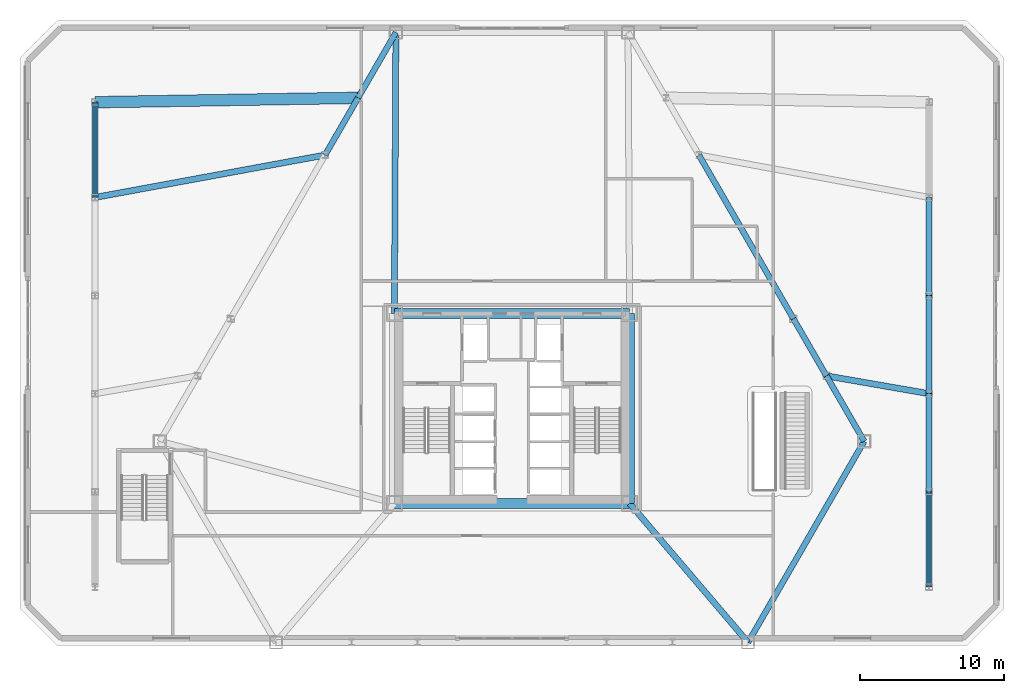
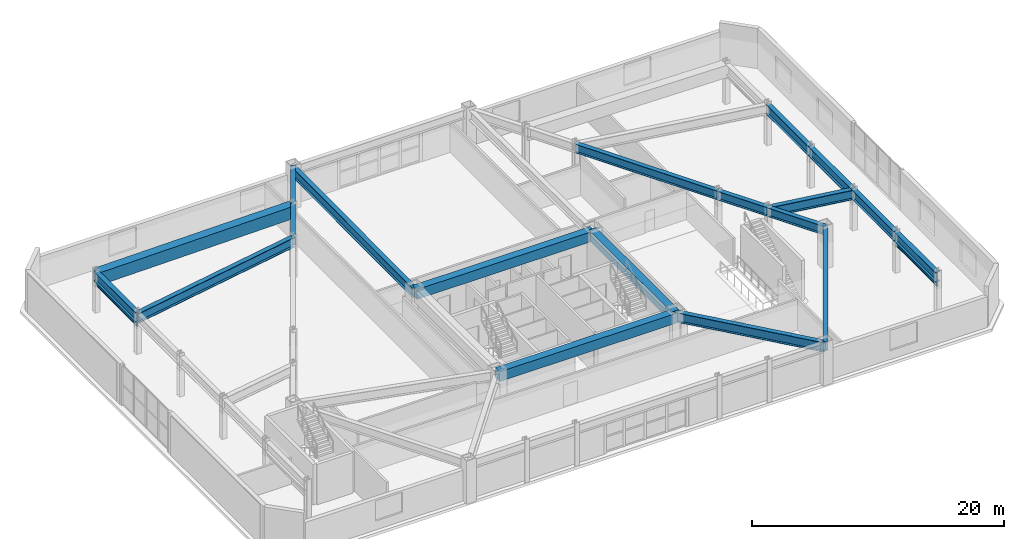
# One storey, part 7 of 22: 21 beams.
"""IFC4 building model written with IfcOpenShell, lengths in metres."""

from ifc_helpers import new_model, si_unit, direction, frame, origin, origin_2d, place, context, subcontext, project, spatial, rectangle, hollow_rectangle, i_section, extrude, material, material_profile, profile_set, type_object, element, save


model = new_model("IFC4")

# Units and contexts
model_context = context("Model", 3, precision=1e-05, world=origin(), true_north=direction((0.0, 1.0)))
body_context = subcontext(model_context, "Body", "Model", "MODEL_VIEW")
ifc_project = project(units=[si_unit("LENGTHUNIT", "METRE"), si_unit("AREAUNIT", "SQUARE_METRE"), si_unit("VOLUMEUNIT", "CUBIC_METRE"), si_unit("PLANEANGLEUNIT", "RADIAN"), si_unit("MASSUNIT", "GRAM", prefix="KILO")], contexts=[model_context])

# Site, building, storey
site_placement = place(None, origin())
site = spatial("IfcSite", under=ifc_project, at=site_placement, CompositionType="ELEMENT")
building_placement = place(site_placement, origin())
building = spatial("IfcBuilding", under=site, at=building_placement, Name="Oramaril Tower", CompositionType="ELEMENT")
storey_placement = place(building_placement, frame((0.0, 0.0, 14.10009765625)))
storey = spatial("IfcBuildingStorey", under=building, at=storey_placement, Name="L03", CompositionType="ELEMENT", Elevation=14.10009765625)

# Beams
ifc_material_1 = material(Name="Concrete C50/60", Category="concrete")
ifc_material_profile_1 = material_profile(ifc_material_1, rectangle(XDim=0.699951171875, YDim=0.949951171875, at=origin_2d()), Name="CB700X950")
ifc_profile_set_1 = profile_set([ifc_material_profile_1], Name="Concrete C50/60")
beam_type_1 = type_object("IfcBeamType", Name="BT-CB1", PredefinedType="BEAM", material=ifc_profile_set_1)
beam_1_placement = place(storey_placement, frame((29.35009765625, 11.0, 3.44482421875), z_axis=(1.0, 0.0, 0.0), x_axis=(0.0, 1.0, 0.0)))
element("IfcBeam", 1, at=beam_1_placement, inside=storey, type_object=beam_type_1, Name="L03 Core Header Beam CB-1", PredefinedType="BEAM", context=body_context, shape_type="SweptSolid", body=[
    extrude(rectangle(XDim=0.699951171875, YDim=0.949951171875, at=origin_2d()), origin(), (0.0, 0.0, 1.0), 16.2998046875),
])
beam_2_placement = place(storey_placement, frame((45.64990234375, 11.0, 3.44482421875), z_axis=(0.0, 1.0, 0.0), x_axis=(-1.0, 0.0, 0.0)))
element("IfcBeam", 2, at=beam_2_placement, inside=storey, type_object=beam_type_1, Name="L03 Core Header Beam CB-2", PredefinedType="BEAM", context=body_context, shape_type="SweptSolid", body=[
    extrude(rectangle(XDim=0.699951171875, YDim=0.949951171875, at=origin_2d()), origin(), (0.0, 0.0, 1.0), 13.14990234375),
])
beam_3_placement = place(storey_placement, frame((45.64990234375, 24.14990234375, 3.44482421875), z_axis=(-1.0, 0.0, 0.0), x_axis=(0.0, -1.0, 0.0)))
element("IfcBeam", 3, at=beam_3_placement, inside=storey, type_object=beam_type_1, Name="L03 Core Header Beam CB-3", PredefinedType="BEAM", context=body_context, shape_type="SweptSolid", body=[
    extrude(rectangle(XDim=0.699951171875, YDim=0.949951171875, at=origin_2d()), origin(), (0.0, 0.0, 1.0), 16.2998046875),
])
ifc_material_2 = material(Name="Steel ASTM A572 Gr 50", Category="steel")
ifc_material_profile_2 = material_profile(ifc_material_2, i_section(OverallWidth=0.1650390625, OverallDepth=0.31005859375, WebThickness=0.005859375, FlangeThickness=0.009765625, at=origin_2d()), Name="W12X26")
ifc_profile_set_2 = profile_set([ifc_material_profile_2], Name="Steel ASTM A572 Gr 50")
beam_type_2 = type_object("IfcBeamType", Name="BT-LN1", PredefinedType="LINTEL", material=ifc_profile_set_2)
for number, where, z_axis, x_axis, name in (
    (4, (8.60009765625, 32.199951171875, 2.69482421875), (0.0, 1.0, 0.0), (-1.0, 0.0, 0.0), "L03 Podium Opening Lintel Beam"),
    (5, (66.39990234375, 5.199951171875, 2.69482421875), (0.0, 1.0, 0.0), (-1.0, 0.0, 0.0), "L03 Podium Opening Lintel Beam"),
):
    element("IfcBeam", number, at=place(storey_placement, frame(where, z_axis=z_axis, x_axis=x_axis)), inside=storey, type_object=beam_type_2, Name=name, PredefinedType="LINTEL", context=body_context, shape_type="SweptSolid", body=[
        extrude(i_section(OverallWidth=0.1650390625, OverallDepth=0.31005859375, WebThickness=0.005859375, FlangeThickness=0.009765625, at=origin_2d()), origin(), (0.0, 0.0, 1.0), 6.60009765625),
    ])
ifc_material_3 = material(Name="Steel ASTM A572 Gr 50", Category="steel")
ifc_material_profile_3 = material_profile(ifc_material_3, i_section(OverallWidth=0.424072265625, OverallDepth=0.947021484375, WebThickness=0.02392578125, FlangeThickness=0.042724609375, at=origin_2d()), Name="W36X302")
ifc_profile_set_3 = profile_set([ifc_material_profile_3], Name="Steel ASTM A572 Gr 50")
beam_type_3 = type_object("IfcBeamType", Name="BT-PG1", PredefinedType="BEAM", material=ifc_profile_set_3)
beam_4_placement = place(storey_placement, frame((8.60009765625, 32.199951171875, 3.4462890625), z_axis=(0.983441112449, 0.181227973404, 0.0), x_axis=(-0.181227973404, 0.983441112449, 0.0)))
element("IfcBeam", 6, at=beam_4_placement, inside=storey, type_object=beam_type_3, Name="L03 Podium Clear-Span Girder 05", PredefinedType="BEAM", context=body_context, shape_type="SweptSolid", body=[
    extrude(i_section(OverallWidth=0.424072265625, OverallDepth=0.947021484375, WebThickness=0.02392578125, FlangeThickness=0.042724609375, at=origin_2d()), origin(), (0.0, 0.0, 1.0), 16.211669921875),
])
beam_5_placement = place(storey_placement, frame((66.39990234375, 18.60009765625, 3.4462890625), z_axis=(-0.985251471122, 0.171112649011, 0.0), x_axis=(-0.171112649011, -0.985251471122, 0.0)))
element("IfcBeam", 7, at=beam_5_placement, inside=storey, type_object=beam_type_3, Name="L03 Podium Clear-Span Girder 09", PredefinedType="BEAM", context=body_context, shape_type="SweptSolid", body=[
    extrude(i_section(OverallWidth=0.424072265625, OverallDepth=0.947021484375, WebThickness=0.02392578125, FlangeThickness=0.042724609375, at=origin_2d()), origin(), (0.0, 0.0, 1.0), 7.2138671875),
])
ifc_material_4 = material(Name="Steel ASTM A572 Gr 50", Category="steel")
ifc_material_profile_4 = material_profile(ifc_material_4, i_section(OverallWidth=0.4189453125, OverallDepth=0.927001953125, WebThickness=0.019287109375, FlangeThickness=0.031982421875, at=origin_2d()), Name="W36X231")
ifc_profile_set_4 = profile_set([ifc_material_profile_4], Name="Steel ASTM A572 Gr 50")
beam_type_4 = type_object("IfcBeamType", Name="BT-PG2", PredefinedType="BEAM", material=ifc_profile_set_4)
beam_6_placement = place(storey_placement, frame((45.64990234375, 11.0, 3.456298828125), z_axis=(0.64848466157, -0.761227721322, 0.0), x_axis=(0.761227721322, 0.64848466157, 0.0)))
element("IfcBeam", 8, at=beam_6_placement, inside=storey, type_object=beam_type_4, Name="L03 Radial Primary Beam RB-03", PredefinedType="BEAM", context=body_context, shape_type="SweptSolid", body=[
    extrude(i_section(OverallWidth=0.4189453125, OverallDepth=0.927001953125, WebThickness=0.019287109375, FlangeThickness=0.031982421875, at=origin_2d()), origin(), (0.0, 0.0, 1.0), 12.66357421875),
])
beam_7_placement = place(storey_placement, frame((29.35009765625, 24.14990234375, 3.456298828125), z_axis=(0.005223463456, 0.999986357622, 0.0), x_axis=(-0.999986357622, 0.005223463456, 0.0)))
element("IfcBeam", 9, at=beam_7_placement, inside=storey, type_object=beam_type_4, Name="L03 Radial Primary Beam RB-06", PredefinedType="BEAM", context=body_context, shape_type="SweptSolid", body=[
    extrude(i_section(OverallWidth=0.4189453125, OverallDepth=0.927001953125, WebThickness=0.019287109375, FlangeThickness=0.031982421875, at=origin_2d()), origin(), (0.0, 0.0, 1.0), 19.490234375),
])
for number, where, z_axis, x_axis, name in (
    (10, (8.60009765625, 32.199951171875, 3.456298828125), (0.0, 1.0, 0.0), (-1.0, 0.0, 0.0), "L03 Podium Perimeter Girder 05"),
    (11, (66.39990234375, 5.199951171875, 3.456298828125), (0.0, 1.0, 0.0), (-1.0, 0.0, 0.0), "L03 Podium Perimeter Girder 07"),
):
    element("IfcBeam", number, at=place(storey_placement, frame(where, z_axis=z_axis, x_axis=x_axis)), inside=storey, type_object=beam_type_4, Name=name, PredefinedType="BEAM", context=body_context, shape_type="SweptSolid", body=[
        extrude(i_section(OverallWidth=0.4189453125, OverallDepth=0.927001953125, WebThickness=0.019287109375, FlangeThickness=0.031982421875, at=origin_2d()), origin(), (0.0, 0.0, 1.0), 6.60009765625),
    ])
beam_8_placement = place(storey_placement, frame((66.39990234375, 11.800048828125, 3.456298828125), z_axis=(0.0, 1.0, 0.0), x_axis=(-1.0, 0.0, 0.0)))
element("IfcBeam", 12, at=beam_8_placement, inside=storey, type_object=beam_type_4, Name="L03 Podium Perimeter Girder 08", PredefinedType="BEAM", context=body_context, shape_type="SweptSolid", body=[
    extrude(i_section(OverallWidth=0.4189453125, OverallDepth=0.927001953125, WebThickness=0.019287109375, FlangeThickness=0.031982421875, at=origin_2d()), origin(), (0.0, 0.0, 1.0), 6.800048828125),
])
beam_9_placement = place(storey_placement, frame((66.39990234375, 18.60009765625, 3.456298828125), z_axis=(0.0, 1.0, 0.0), x_axis=(-1.0, 0.0, 0.0)))
element("IfcBeam", 13, at=beam_9_placement, inside=storey, type_object=beam_type_4, Name="L03 Podium Perimeter Girder 09", PredefinedType="BEAM", context=body_context, shape_type="SweptSolid", body=[
    extrude(i_section(OverallWidth=0.4189453125, OverallDepth=0.927001953125, WebThickness=0.019287109375, FlangeThickness=0.031982421875, at=origin_2d()), origin(), (0.0, 0.0, 1.0), 6.7998046875),
])
beam_10_placement = place(storey_placement, frame((66.39990234375, 25.39990234375, 3.456298828125), z_axis=(0.0, 1.0, 0.0), x_axis=(-1.0, 0.0, 0.0)))
element("IfcBeam", 14, at=beam_10_placement, inside=storey, type_object=beam_type_4, Name="L03 Podium Perimeter Girder 10", PredefinedType="BEAM", context=body_context, shape_type="SweptSolid", body=[
    extrude(i_section(OverallWidth=0.4189453125, OverallDepth=0.927001953125, WebThickness=0.019287109375, FlangeThickness=0.031982421875, at=origin_2d()), origin(), (0.0, 0.0, 1.0), 6.800048828125),
])
ifc_material_5 = material(Name="Steel ASTM A572 Gr 50", Category="steel")
ifc_material_profile_5 = material_profile(ifc_material_5, i_section(OverallWidth=0.40087890625, OverallDepth=0.85595703125, WebThickness=0.018310546875, FlangeThickness=0.029296875, at=origin_2d()), Name="W33X201")
ifc_profile_set_5 = profile_set([ifc_material_profile_5], Name="Steel ASTM A572 Gr 50")
beam_type_5 = type_object("IfcBeamType", Name="BT-SP1", PredefinedType="SPANDREL", material=ifc_profile_set_5)
beam_11_placement = place(storey_placement, frame((53.862060546875, 1.360107421875, 3.491943359375), z_axis=(0.500005168208, 0.866022419898, 0.0), x_axis=(-0.866022419898, 0.500005168208, 0.0)))
element("IfcBeam", 15, at=beam_11_placement, inside=storey, type_object=beam_type_5, Name="L03 Perimeter Spandrel 07", PredefinedType="SPANDREL", context=body_context, shape_type="SweptSolid", body=[
    extrude(i_section(OverallWidth=0.40087890625, OverallDepth=0.85595703125, WebThickness=0.018310546875, FlangeThickness=0.029296875, at=origin_2d()), origin(), (0.0, 0.0, 1.0), 16.096435546875),
])
beam_12_placement = place(storey_placement, frame((61.910400390625, 15.300048828125, 3.491943359375), z_axis=(-0.499995574394, 0.866027958894, 0.0), x_axis=(-0.866027958894, -0.499995574394, 0.0)))
element("IfcBeam", 16, at=beam_12_placement, inside=storey, type_object=beam_type_5, Name="L03 Perimeter Spandrel 08", PredefinedType="SPANDREL", context=body_context, shape_type="SweptSolid", body=[
    extrude(i_section(OverallWidth=0.40087890625, OverallDepth=0.85595703125, WebThickness=0.018310546875, FlangeThickness=0.029296875, at=origin_2d()), origin(), (0.0, 0.0, 1.0), 5.23583984375),
])
beam_13_placement = place(storey_placement, frame((59.29248046875, 19.83447265625, 3.491943359375), z_axis=(-0.500019215235, 0.866014309579, 0.0), x_axis=(-0.866014309579, -0.500019215235, 0.0)))
element("IfcBeam", 17, at=beam_13_placement, inside=storey, type_object=beam_type_5, Name="L03 Perimeter Spandrel 09", PredefinedType="SPANDREL", context=body_context, shape_type="SweptSolid", body=[
    extrude(i_section(OverallWidth=0.40087890625, OverallDepth=0.85595703125, WebThickness=0.018310546875, FlangeThickness=0.029296875, at=origin_2d()), origin(), (0.0, 0.0, 1.0), 4.581298828125),
])
beam_14_placement = place(storey_placement, frame((57.001708984375, 23.802001953125, 3.491943359375), z_axis=(-0.50000660679, 0.866021589319, 0.0), x_axis=(-0.866021589319, -0.50000660679, 0.0)))
element("IfcBeam", 18, at=beam_14_placement, inside=storey, type_object=beam_type_5, Name="L03 Perimeter Spandrel 10", PredefinedType="SPANDREL", context=body_context, shape_type="SweptSolid", body=[
    extrude(i_section(OverallWidth=0.40087890625, OverallDepth=0.85595703125, WebThickness=0.018310546875, FlangeThickness=0.029296875, at=origin_2d()), origin(), (0.0, 0.0, 1.0), 13.089599609375),
])
beam_15_placement = place(storey_placement, frame((29.451904296875, 43.639892578125, 3.491943359375), z_axis=(-0.500015765613, -0.866016301312, 0.0), x_axis=(0.866016301312, -0.500015765613, 0.0)))
element("IfcBeam", 19, at=beam_15_placement, inside=storey, type_object=beam_type_5, Name="L03 Perimeter Spandrel 14", PredefinedType="SPANDREL", context=body_context, shape_type="SweptSolid", body=[
    extrude(i_section(OverallWidth=0.40087890625, OverallDepth=0.85595703125, WebThickness=0.018310546875, FlangeThickness=0.029296875, at=origin_2d()), origin(), (0.0, 0.0, 1.0), 5.235595703125),
])
beam_16_placement = place(storey_placement, frame((26.833984375, 39.105712890625, 3.491943359375), z_axis=(-0.499996140324, -0.866027632158, 0.0), x_axis=(0.866027632158, -0.499996140324, 0.0)))
element("IfcBeam", 20, at=beam_16_placement, inside=storey, type_object=beam_type_5, Name="L03 Perimeter Spandrel 15", PredefinedType="SPANDREL", context=body_context, shape_type="SweptSolid", body=[
    extrude(i_section(OverallWidth=0.40087890625, OverallDepth=0.85595703125, WebThickness=0.018310546875, FlangeThickness=0.029296875, at=origin_2d()), origin(), (0.0, 0.0, 1.0), 4.58154296875),
])
ifc_material_6 = material(Name="Steel ASTM A572 Gr 50", Category="steel")
ifc_material_profile_6 = material_profile(ifc_material_6, hollow_rectangle(XDim=0.800048828125, YDim=1.199951171875, WallThickness=0.074951171875, at=origin_2d()), Name="BOX1200X800X75")
ifc_profile_set_6 = profile_set([ifc_material_profile_6], Name="Steel ASTM A572 Gr 50")
beam_type_6 = type_object("IfcBeamType", Name="BT-TT1", PredefinedType="BEAM", material=ifc_profile_set_6)
beam_17_placement = place(storey_placement, frame((8.60009765625, 38.800048828125, 3.31982421875), z_axis=(0.999859521862, 0.016761161682, 0.0), x_axis=(-0.016761161682, 0.999859521862, 0.0)))
element("IfcBeam", 21, at=beam_17_placement, inside=storey, type_object=beam_type_6, Name="L03 Podium Clear-Span Girder 06", PredefinedType="BEAM", context=body_context, shape_type="SweptSolid", body=[
    extrude(hollow_rectangle(XDim=0.800048828125, YDim=1.199951171875, WallThickness=0.074951171875, at=origin_2d()), origin(), (0.0, 0.0, 1.0), 18.236328125),
])

save(model, "model.ifc")
